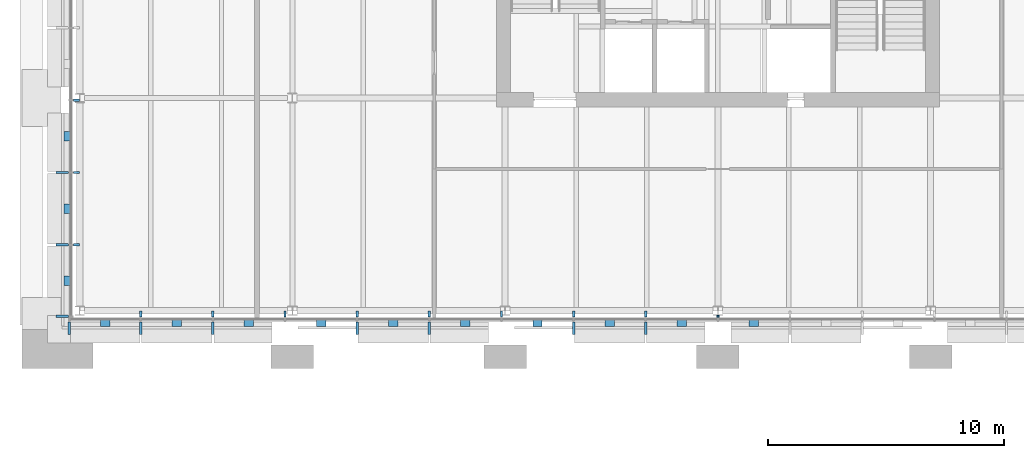
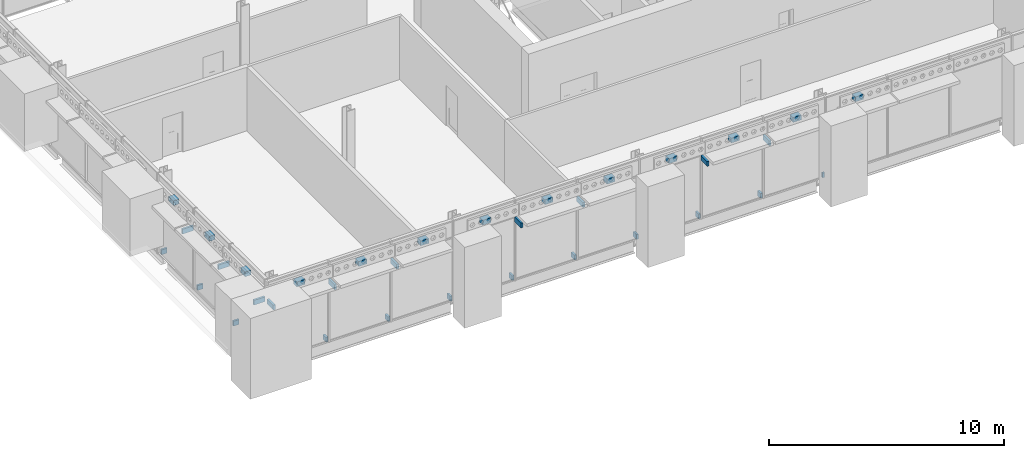
# One storey, part 118 of 153: 35 discrete accessories.
"""IFC4 building model written with IfcOpenShell, lengths in metres."""

from ifc_helpers import new_model, si_unit, direction, frame, origin, origin_2d, place, context, subcontext, project, spatial, rectangle, extrude, material, type_object, element, save


model = new_model("IFC4")

# Units and contexts
model_context = context("Model", 3, precision=1e-05, world=origin(), true_north=direction((0.0, 1.0)))
body_context = subcontext(model_context, "Body", "Model", "MODEL_VIEW")
ifc_project = project(units=[si_unit("LENGTHUNIT", "METRE"), si_unit("AREAUNIT", "SQUARE_METRE"), si_unit("VOLUMEUNIT", "CUBIC_METRE"), si_unit("PLANEANGLEUNIT", "RADIAN"), si_unit("MASSUNIT", "GRAM", prefix="KILO")], contexts=[model_context])

# Site, building, storey
site_placement = place(None, origin())
site = spatial("IfcSite", under=ifc_project, at=site_placement, CompositionType="ELEMENT")
building_placement = place(site_placement, origin())
building = spatial("IfcBuilding", under=site, at=building_placement, Name="Baradari Gate Terminus", CompositionType="ELEMENT")
storey_placement = place(building_placement, frame((0.0, 0.0, 11.699951171875)))
storey = spatial("IfcBuildingStorey", under=building, at=storey_placement, Name="L02", CompositionType="ELEMENT", Elevation=11.699951171875)

# Discrete accessories
ifc_material_1 = material(Name="Steel S275", Category="steel")
discrete_accessory_type_1 = type_object("IfcDiscreteAccessoryType", Name="Chhajja bracket BK-3 galvanised steel", PredefinedType="BRACKET", material=ifc_material_1)
for number, where, z_axis, x_axis, name in (
    (1, (8.5625, 116.260009765625, 3.08251953125), (0.0, 0.0, 1.0), (0.0, -1.0, 0.0), "Chhajja bracket BK-3 L02/TS mullion 1"),
    (2, (11.582275390625, 116.260009765625, 3.08251953125), (0.0, 0.0, 1.0), (0.0, -1.0, 0.0), "Chhajja bracket BK-3 L02/TS mullion 2"),
    (3, (14.634521484375, 116.260009765625, 3.08251953125), (0.0, 0.0, 1.0), (0.0, -1.0, 0.0), "Chhajja bracket BK-3 L02/TS mullion 3"),
    (4, (20.73876953125, 116.260009765625, 3.08251953125), (0.0, 0.0, 1.0), (0.0, -1.0, 0.0), "Chhajja bracket BK-3 L02/TS mullion 5"),
    (5, (23.791015625, 116.260009765625, 3.08251953125), (0.0, 0.0, 1.0), (0.0, -1.0, 0.0), "Chhajja bracket BK-3 L02/TS mullion 6"),
    (6, (29.8955078125, 116.260009765625, 3.08251953125), (0.0, 0.0, 1.0), (0.0, -1.0, 0.0), "Chhajja bracket BK-3 L02/TS mullion 8"),
    (7, (32.94775390625, 116.260009765625, 3.08251953125), (0.0, 0.0, 1.0), (0.0, -1.0, 0.0), "Chhajja bracket BK-3 L02/TS mullion 9"),
    (8, (8.260009765625, 116.762451171875, 3.08251953125), (0.0, 0.0, 1.0), (-1.0, 0.0, 0.0), "Chhajja bracket BK-3 L02/TW mullion 1"),
    (9, (8.260009765625, 119.7900390625, 3.08251953125), (0.0, 0.0, 1.0), (-1.0, 0.0, 0.0), "Chhajja bracket BK-3 L02/TW mullion 2"),
    (10, (8.260009765625, 122.85009765625, 3.08251953125), (0.0, 0.0, 1.0), (-1.0, 0.0, 0.0), "Chhajja bracket BK-3 L02/TW mullion 3"),
):
    element("IfcDiscreteAccessory", number, at=place(storey_placement, frame(where, z_axis=z_axis, x_axis=x_axis)), inside=storey, type_object=discrete_accessory_type_1, Name=name, PredefinedType="BRACKET", context=body_context, shape_type="SweptSolid", body=[
        extrude(rectangle(XDim=0.5400390625, YDim=0.10009765625, at=origin_2d()), origin(), (0.0, 0.0, 1.0), 0.25),
    ])
ifc_material_2 = material(Name="Aluminium 6063-T6", Category="aluminium")
discrete_accessory_type_2 = type_object("IfcDiscreteAccessoryType", Name="Curtain wall bracket BK-1 100x250", PredefinedType="BRACKET", material=ifc_material_2)
for number, where, z_axis, x_axis, name in (
    (11, (11.582275390625, 116.864990234375, -0.099853515625), (0.0, 0.0, 1.0), (0.0, -1.0, 0.0), "Curtain wall bracket BK-1 L02/TS mullion 2"),
    (12, (14.634521484375, 116.864990234375, -0.099853515625), (0.0, 0.0, 1.0), (0.0, -1.0, 0.0), "Curtain wall bracket BK-1 L02/TS mullion 3"),
    (13, (17.686767578125, 116.864990234375, -0.099853515625), (0.0, 0.0, 1.0), (0.0, -1.0, 0.0), "Curtain wall bracket BK-1 L02/TS mullion 4"),
    (14, (20.73876953125, 116.864990234375, -0.099853515625), (0.0, 0.0, 1.0), (0.0, -1.0, 0.0), "Curtain wall bracket BK-1 L02/TS mullion 5"),
    (15, (23.791015625, 116.864990234375, -0.099853515625), (0.0, 0.0, 1.0), (0.0, -1.0, 0.0), "Curtain wall bracket BK-1 L02/TS mullion 6"),
    (16, (26.84326171875, 116.864990234375, -0.099853515625), (0.0, 0.0, 1.0), (0.0, -1.0, 0.0), "Curtain wall bracket BK-1 L02/TS mullion 7"),
    (17, (29.8955078125, 116.864990234375, -0.099853515625), (0.0, 0.0, 1.0), (0.0, -1.0, 0.0), "Curtain wall bracket BK-1 L02/TS mullion 8"),
    (18, (32.94775390625, 116.864990234375, -0.099853515625), (0.0, 0.0, 1.0), (0.0, -1.0, 0.0), "Curtain wall bracket BK-1 L02/TS mullion 9"),
):
    element("IfcDiscreteAccessory", number, at=place(storey_placement, frame(where, z_axis=z_axis, x_axis=x_axis)), inside=storey, type_object=discrete_accessory_type_2, Name=name, PredefinedType="BRACKET", context=body_context, shape_type="SweptSolid", body=[
        extrude(rectangle(XDim=0.27001953125, YDim=0.10009765625, at=origin_2d()), origin(), (0.0, 0.0, 1.0), 0.25),
    ])
discrete_accessory_placement = place(storey_placement, frame((36.0, 116.769775390625, -0.099853515625), z_axis=(0.0, 0.0, 1.0), x_axis=(0.0, -1.0, 0.0)))
element("IfcDiscreteAccessory", 19, at=discrete_accessory_placement, inside=storey, type_object=discrete_accessory_type_2, Name="Curtain wall bracket BK-1 L02/TS mullion 10", PredefinedType="BRACKET", context=body_context, shape_type="SweptSolid", body=[
    extrude(rectangle(XDim=0.07958984375, YDim=0.10009765625, at=origin_2d()), origin(), (0.0, 0.0, 1.0), 0.25),
])
for number, where, z_axis, x_axis, name in (
    (20, (8.864990234375, 119.7900390625, -0.099853515625), (0.0, 0.0, 1.0), (-1.0, 0.0, 0.0), "Curtain wall bracket BK-1 L02/TW mullion 2"),
    (21, (8.864990234375, 122.85009765625, -0.099853515625), (0.0, 0.0, 1.0), (-1.0, 0.0, 0.0), "Curtain wall bracket BK-1 L02/TW mullion 3"),
    (22, (8.864990234375, 125.909912109375, -0.099853515625), (0.0, 0.0, 1.0), (-1.0, 0.0, 0.0), "Curtain wall bracket BK-1 L02/TW mullion 4"),
):
    element("IfcDiscreteAccessory", number, at=place(storey_placement, frame(where, z_axis=z_axis, x_axis=x_axis)), inside=storey, type_object=discrete_accessory_type_2, Name=name, PredefinedType="BRACKET", context=body_context, shape_type="SweptSolid", body=[
        extrude(rectangle(XDim=0.27001953125, YDim=0.10009765625, at=origin_2d()), origin(), (0.0, 0.0, 1.0), 0.25),
    ])
ifc_material_3 = material(Name="Stainless steel 316", Category="steel")
discrete_accessory_type_3 = type_object("IfcDiscreteAccessoryType", Name="Jali screen bracket BK-2 stainless steel", PredefinedType="BRACKET", material=ifc_material_3)
for number, where, z_axis, x_axis, name in (
    (23, (10.072265625, 116.472412109375, 3.60888671875), (0.0, 0.0, 1.0), (0.0, -1.0, 0.0), "Jali screen bracket BK-2 L02/TS bay 1"),
    (24, (13.1083984375, 116.472412109375, 3.60888671875), (0.0, 0.0, 1.0), (0.0, -1.0, 0.0), "Jali screen bracket BK-2 L02/TS bay 2"),
    (25, (16.16064453125, 116.472412109375, 3.60888671875), (0.0, 0.0, 1.0), (0.0, -1.0, 0.0), "Jali screen bracket BK-2 L02/TS bay 3"),
    (26, (19.212890625, 116.472412109375, 3.60888671875), (0.0, 0.0, 1.0), (0.0, -1.0, 0.0), "Jali screen bracket BK-2 L02/TS bay 4"),
    (27, (22.264892578125, 116.472412109375, 3.60888671875), (0.0, 0.0, 1.0), (0.0, -1.0, 0.0), "Jali screen bracket BK-2 L02/TS bay 5"),
    (28, (25.317138671875, 116.472412109375, 3.60888671875), (0.0, 0.0, 1.0), (0.0, -1.0, 0.0), "Jali screen bracket BK-2 L02/TS bay 6"),
    (29, (28.369384765625, 116.472412109375, 3.60888671875), (0.0, 0.0, 1.0), (0.0, -1.0, 0.0), "Jali screen bracket BK-2 L02/TS bay 7"),
    (30, (31.421630859375, 116.472412109375, 3.60888671875), (0.0, 0.0, 1.0), (0.0, -1.0, 0.0), "Jali screen bracket BK-2 L02/TS bay 8"),
    (31, (34.473876953125, 116.472412109375, 3.60888671875), (0.0, 0.0, 1.0), (0.0, -1.0, 0.0), "Jali screen bracket BK-2 L02/TS bay 9"),
    (32, (37.526123046875, 116.472412109375, 3.60888671875), (0.0, 0.0, 1.0), (0.0, -1.0, 0.0), "Jali screen bracket BK-2 L02/TS bay 10"),
    (33, (8.472412109375, 118.2763671875, 3.60888671875), (0.0, 0.0, 1.0), (-1.0, 0.0, 0.0), "Jali screen bracket BK-2 L02/TW bay 1"),
    (34, (8.472412109375, 121.320068359375, 3.60888671875), (0.0, 0.0, 1.0), (-1.0, 0.0, 0.0), "Jali screen bracket BK-2 L02/TW bay 2"),
    (35, (8.472412109375, 124.3798828125, 3.60888671875), (0.0, 0.0, 1.0), (-1.0, 0.0, 0.0), "Jali screen bracket BK-2 L02/TW bay 3"),
):
    element("IfcDiscreteAccessory", number, at=place(storey_placement, frame(where, z_axis=z_axis, x_axis=x_axis)), inside=storey, type_object=discrete_accessory_type_3, Name=name, PredefinedType="BRACKET", context=body_context, shape_type="SweptSolid", body=[
        extrude(rectangle(XDim=0.284912109375, YDim=0.39990234375, at=origin_2d()), origin(), (0.0, 0.0, 1.0), 0.25),
    ])

save(model, "model.ifc")
